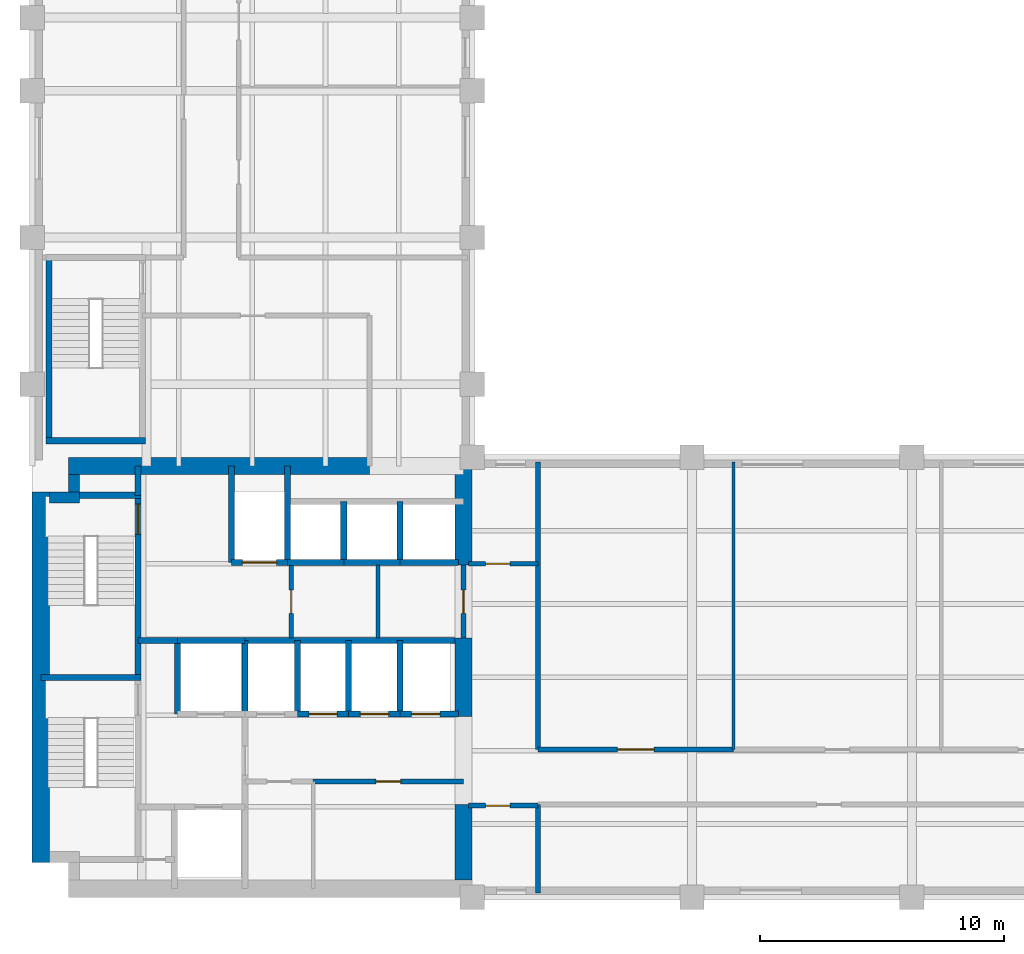
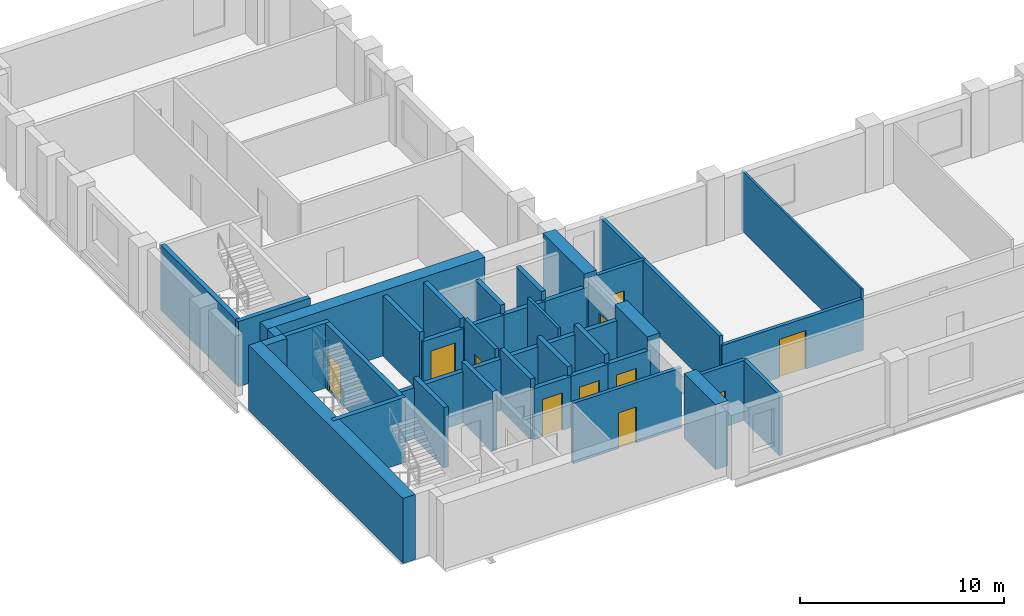
# One storey, part 3 of 7: 42 walls, 11 doors, 11 openings.
"""IFC4 building model written with IfcOpenShell, lengths in metres."""

from ifc_helpers import new_model, si_unit, direction, frame, frame_2d, origin, place, context, subcontext, project, spatial, rectangle, extrude, material, layer, layer_set, type_object, element, fill, save


model = new_model("IFC4")

# Units and contexts
model_context = context("Model", 3, precision=1e-05, world=origin(), true_north=direction((0.0, 1.0)))
body_context = subcontext(model_context, "Body", "Model", "MODEL_VIEW")
ifc_project = project(units=[si_unit("LENGTHUNIT", "METRE"), si_unit("AREAUNIT", "SQUARE_METRE"), si_unit("VOLUMEUNIT", "CUBIC_METRE"), si_unit("PLANEANGLEUNIT", "RADIAN"), si_unit("MASSUNIT", "GRAM", prefix="KILO")], contexts=[model_context])

# Site, building, storey
site_placement = place(None, origin())
site = spatial("IfcSite", under=ifc_project, at=site_placement, CompositionType="ELEMENT")
building_placement = place(site_placement, origin())
building = spatial("IfcBuilding", under=site, at=building_placement, Name="Mawjdan Bourse Tower", CompositionType="ELEMENT")
storey_placement = place(building_placement, frame((0.0, 0.0, 151.800048828125)))
storey = spatial("IfcBuildingStorey", under=building, at=storey_placement, Name="L36", CompositionType="ELEMENT", Elevation=151.800048828125)

# Wall, opening, door
ifc_material_1 = material(Name="Gypsum Fireboard Assembly")
ifc_layer_1 = layer(ifc_material_1, 0.199951171875)
ifc_layer_set_1 = layer_set([ifc_layer_1], Name="Gypsum Fireboard Assembly")
wall_type_1 = type_object("IfcWallType", Name="WL-CMP-200", PredefinedType="PARTITIONING", material=ifc_layer_set_1)
wall_1_placement = place(storey_placement, frame((17.5, 7.739990234375, 0.0), z_axis=(0.0, 0.0, 1.0), x_axis=(1.0, 0.0, 0.0)))
wall_1 = element("IfcWall", 1, at=wall_1_placement, inside=storey, type_object=wall_type_1, Name="L36 Reprographics & Pantry Suite North Wall", PredefinedType="PARTITIONING", context=body_context, shape_type="SweptSolid", body=[
    extrude(rectangle(XDim=6.14990234375, YDim=0.199951171875, at=frame_2d((3.074951171875, 0.0))), origin(), (0.0, 0.0, 1.0), 3.60986328125),
])
opening_1_placement = place(wall_1_placement, frame((2.574951171875, 0.0, 0.0)))
opening_1 = element("IfcOpeningElement", 2, at=opening_1_placement, cuts=wall_1, Name="Opening D-L36-11", PredefinedType="OPENING", context=body_context, shape_type="SweptSolid", body=[
    extrude(rectangle(XDim=1.0, YDim=2.14990234375, at=frame_2d((0.5, 1.074951171875))), frame((0.0, 0.10986328125, 0.0), z_axis=(0.0, -1.0, 0.0), x_axis=(1.0, 0.0, 0.0)), (0.0, 0.0, 1.0), 0.219970703125),
])
ifc_material_2 = material(Name="Hardwood Acoustic Leaf", Category="wood")
door_type_1 = type_object("IfcDoorType", Name="DR-OFC-1000", OperationType="NOTDEFINED", PredefinedType="DOOR", material=ifc_material_2)
door_1_placement = place(opening_1_placement, origin())
door_1 = element("IfcDoor", 3, at=door_1_placement, inside=storey, type_object=door_type_1, Name="L36 Reprographics & Pantry Suite Door D-L36-11", OperationType="SINGLE_SWING_RIGHT", OverallHeight=2.14990234375, OverallWidth=1.0, PredefinedType="DOOR", context=body_context, shape_type="SweptSolid", body=[
    extrude(rectangle(XDim=1.0, YDim=2.14990234375, at=frame_2d((0.5, 1.074951171875))), frame((0.0, 0.02490234375, 0.0), z_axis=(0.0, -1.0, 0.0), x_axis=(1.0, 0.0, 0.0)), (0.0, 0.0, 1.0), 0.050048828125),
])
fill(opening_1, door_1)

wall_2_placement = place(storey_placement, frame((16.60009765625, 13.60009765625, 0.0), z_axis=(0.0, 0.0, 1.0), x_axis=(0.0, 1.0, 0.0)))
wall_2 = element("IfcWall", 4, at=wall_2_placement, inside=storey, type_object=wall_type_1, Name="L36 Core Restroom West Wall", PredefinedType="PARTITIONING", context=body_context, shape_type="SweptSolid", body=[
    extrude(rectangle(XDim=3.0, YDim=0.199951171875, at=frame_2d((1.5, 0.0))), origin(), (0.0, 0.0, 1.0), 3.60986328125),
])
opening_2_placement = place(wall_2_placement, frame((1.02001953125, 0.0, 0.0)))
opening_2 = element("IfcOpeningElement", 5, at=opening_2_placement, cuts=wall_2, Name="Opening D-L36-16", PredefinedType="OPENING", context=body_context, shape_type="SweptSolid", body=[
    extrude(rectangle(XDim=0.949951171875, YDim=2.10009765625, at=frame_2d((0.47509765625, 1.050048828125))), frame((0.0, 0.10986328125, 0.0), z_axis=(0.0, -1.0, 0.0), x_axis=(1.0, 0.0, 0.0)), (0.0, 0.0, 1.0), 0.219970703125),
])
ifc_material_3 = material(Name="Moisture-Resistant Laminate Timber", Category="wood")
door_type_2 = type_object("IfcDoorType", Name="DR-WET-0950", OperationType="NOTDEFINED", PredefinedType="DOOR", material=ifc_material_3)
door_2_placement = place(opening_2_placement, origin())
door_2 = element("IfcDoor", 6, at=door_2_placement, inside=storey, type_object=door_type_2, Name="L36 Female Restroom Entry Door D-L36-16", OperationType="SINGLE_SWING_LEFT", OverallHeight=2.10009765625, OverallWidth=0.949951171875, PredefinedType="DOOR", context=body_context, shape_type="SweptSolid", body=[
    extrude(rectangle(XDim=0.949951171875, YDim=2.10009765625, at=frame_2d((0.47509765625, 1.050048828125))), frame((0.0, 0.02490234375, 0.0), z_axis=(0.0, -1.0, 0.0), x_axis=(1.0, 0.0, 0.0)), (0.0, 0.0, 1.0), 0.050048828125),
])
fill(opening_2, door_2)

wall_3_placement = place(storey_placement, frame((23.64990234375, 13.60009765625, 0.0), z_axis=(0.0, 0.0, 1.0), x_axis=(0.0, 1.0, 0.0)))
wall_3 = element("IfcWall", 7, at=wall_3_placement, inside=storey, type_object=wall_type_1, Name="L36 Core Restroom East Enclosing Wall", PredefinedType="PARTITIONING", context=body_context, shape_type="SweptSolid", body=[
    extrude(rectangle(XDim=3.0, YDim=0.199951171875, at=frame_2d((1.5, 0.0))), origin(), (0.0, 0.0, 1.0), 3.60986328125),
])
opening_3_placement = place(wall_3_placement, frame((1.02001953125, 0.0, 0.0)))
opening_3 = element("IfcOpeningElement", 8, at=opening_3_placement, cuts=wall_3, Name="Opening D-L36-17", PredefinedType="OPENING", context=body_context, shape_type="SweptSolid", body=[
    extrude(rectangle(XDim=0.949951171875, YDim=2.10009765625, at=frame_2d((0.47509765625, 1.050048828125))), frame((0.0, 0.10986328125, 0.0), z_axis=(0.0, -1.0, 0.0), x_axis=(1.0, 0.0, 0.0)), (0.0, 0.0, 1.0), 0.219970703125),
])
door_3_placement = place(opening_3_placement, origin())
door_3 = element("IfcDoor", 9, at=door_3_placement, inside=storey, type_object=door_type_2, Name="L36 Accessible WC East Entry Door D-L36-17", OperationType="SINGLE_SWING_RIGHT", OverallHeight=2.10009765625, OverallWidth=0.949951171875, PredefinedType="DOOR", context=body_context, shape_type="SweptSolid", body=[
    extrude(rectangle(XDim=0.949951171875, YDim=2.10009765625, at=frame_2d((0.47509765625, 1.050048828125))), frame((0.0, 0.02490234375, 0.0), z_axis=(0.0, -1.0, 0.0), x_axis=(1.0, 0.0, 0.0)), (0.0, 0.0, 1.0), 0.050048828125),
])
fill(opening_3, door_3)

wall_4_placement = place(storey_placement, frame((23.85009765625, 6.75, 0.0), z_axis=(0.0, 0.0, 1.0), x_axis=(1.0, 0.0, 0.0)))
wall_4 = element("IfcWall", 10, at=wall_4_placement, inside=storey, type_object=wall_type_1, Name="L36 West Pocket North Wall", PredefinedType="PARTITIONING", context=body_context, shape_type="SweptSolid", body=[
    extrude(rectangle(XDim=2.849853515625, YDim=0.199951171875, at=frame_2d((1.4248046875, 0.0))), origin(), (0.0, 0.0, 1.0), 3.60986328125),
])
opening_4_placement = place(wall_4_placement, frame((0.699951171875, 0.0, 0.0)))
opening_4 = element("IfcOpeningElement", 11, at=opening_4_placement, cuts=wall_4, Name="Opening D-L36-19", PredefinedType="OPENING", context=body_context, shape_type="SweptSolid", body=[
    extrude(rectangle(XDim=1.0, YDim=2.14990234375, at=frame_2d((0.5, 1.074951171875))), frame((0.0, 0.10986328125, 0.0), z_axis=(0.0, -1.0, 0.0), x_axis=(1.0, 0.0, 0.0)), (0.0, 0.0, 1.0), 0.219970703125),
])
door_4_placement = place(opening_4_placement, origin())
door_4 = element("IfcDoor", 12, at=door_4_placement, inside=storey, type_object=door_type_1, Name="L36 West Pocket Office Door D-L36-19", OperationType="SINGLE_SWING_RIGHT", OverallHeight=2.14990234375, OverallWidth=1.0, PredefinedType="DOOR", context=body_context, shape_type="SweptSolid", body=[
    extrude(rectangle(XDim=1.0, YDim=2.14990234375, at=frame_2d((0.5, 1.074951171875))), frame((0.0, 0.02490234375, 0.0), z_axis=(0.0, -1.0, 0.0), x_axis=(1.0, 0.0, 0.0)), (0.0, 0.0, 1.0), 0.050048828125),
])
fill(opening_4, door_4)

wall_5_placement = place(storey_placement, frame((23.85009765625, 16.64990234375, 0.0), z_axis=(0.0, 0.0, 1.0), x_axis=(1.0, 0.0, 0.0)))
wall_5 = element("IfcWall", 13, at=wall_5_placement, inside=storey, type_object=wall_type_1, Name="L36 West North Pocket Wall", PredefinedType="PARTITIONING", context=body_context, shape_type="SweptSolid", body=[
    extrude(rectangle(XDim=2.849853515625, YDim=0.199951171875, at=frame_2d((1.4248046875, 0.0))), origin(), (0.0, 0.0, 1.0), 3.60986328125),
])
opening_5_placement = place(wall_5_placement, frame((0.699951171875, 0.0, 0.0)))
opening_5 = element("IfcOpeningElement", 14, at=opening_5_placement, cuts=wall_5, Name="Opening D-L36-20", PredefinedType="OPENING", context=body_context, shape_type="SweptSolid", body=[
    extrude(rectangle(XDim=1.0, YDim=2.14990234375, at=frame_2d((0.5, 1.074951171875))), frame((0.0, 0.10986328125, 0.0), z_axis=(0.0, -1.0, 0.0), x_axis=(1.0, 0.0, 0.0)), (0.0, 0.0, 1.0), 0.219970703125),
])
door_5_placement = place(opening_5_placement, origin())
door_5 = element("IfcDoor", 15, at=door_5_placement, inside=storey, type_object=door_type_1, Name="L36 West North Pocket Door D-L36-20", OperationType="SINGLE_SWING_LEFT", OverallHeight=2.14990234375, OverallWidth=1.0, PredefinedType="DOOR", context=body_context, shape_type="SweptSolid", body=[
    extrude(rectangle(XDim=1.0, YDim=2.14990234375, at=frame_2d((0.5, 1.074951171875))), frame((0.0, 0.02490234375, 0.0), z_axis=(0.0, -1.0, 0.0), x_axis=(1.0, 0.0, 0.0)), (0.0, 0.0, 1.0), 0.050048828125),
])
fill(opening_5, door_5)

# Walls
wall_6_placement = place(storey_placement, frame((26.699951171875, 3.179931640625, 0.0), z_axis=(0.0, 0.0, 1.0), x_axis=(0.0, 1.0, 0.0)))
element("IfcWall", 16, at=wall_6_placement, inside=storey, type_object=wall_type_1, Name="L36 Vestibule South East Wall", PredefinedType="PARTITIONING", context=body_context, shape_type="SweptSolid", body=[
    extrude(rectangle(XDim=3.6201171875, YDim=0.199951171875, at=frame_2d((1.81005859375, 0.0))), origin(), (0.0, 0.0, 1.0), 3.60986328125),
])
wall_7_placement = place(storey_placement, frame((26.699951171875, 9.050048828125, 0.0), z_axis=(0.0, 0.0, 1.0), x_axis=(0.0, 1.0, 0.0)))
element("IfcWall", 17, at=wall_7_placement, inside=storey, type_object=wall_type_1, Name="L36 Vestibule North East Wall", PredefinedType="PARTITIONING", context=body_context, shape_type="SweptSolid", body=[
    extrude(rectangle(XDim=11.77001953125, YDim=0.199951171875, at=frame_2d((5.885009765625, 0.0))), origin(), (0.0, 0.0, 1.0), 3.60986328125),
])

# Wall, opening, door
wall_8_placement = place(storey_placement, frame((26.699951171875, 9.050048828125, 0.0), z_axis=(0.0, 0.0, 1.0), x_axis=(1.0, 0.0, 0.0)))
wall_8 = element("IfcWall", 18, at=wall_8_placement, inside=storey, type_object=wall_type_1, Name="L36 Conference Room Corridor Wall", PredefinedType="PARTITIONING", context=body_context, shape_type="SweptSolid", body=[
    extrude(rectangle(XDim=8.0, YDim=0.199951171875, at=frame_2d((4.0, 0.0))), origin(), (0.0, 0.0, 1.0), 3.06591796875),
])
opening_6_placement = place(wall_8_placement, frame((3.25, 0.0, 0.0)))
opening_6 = element("IfcOpeningElement", 19, at=opening_6_placement, cuts=wall_8, Name="Opening D-L36-22", PredefinedType="OPENING", context=body_context, shape_type="SweptSolid", body=[
    extrude(rectangle(XDim=1.5, YDim=2.300048828125, at=frame_2d((0.75, 1.14990234375))), frame((0.0, 0.10986328125, 0.0), z_axis=(0.0, -1.0, 0.0), x_axis=(1.0, 0.0, 0.0)), (0.0, 0.0, 1.0), 0.219970703125),
])
ifc_material_4 = material(Name="Acoustic Glazed Timber", Category="wood")
door_type_3 = type_object("IfcDoorType", Name="DR-CNF-1500", OperationType="DOUBLE_DOOR_SINGLE_SWING", PredefinedType="DOOR", material=ifc_material_4)
door_6_placement = place(opening_6_placement, origin())
door_6 = element("IfcDoor", 20, at=door_6_placement, inside=storey, type_object=door_type_3, Name="L36 Conference Room Door D-L36-22", OperationType="DOUBLE_DOOR_SINGLE_SWING", OverallHeight=2.300048828125, OverallWidth=1.5, PredefinedType="DOOR", context=body_context, shape_type="SweptSolid", body=[
    extrude(rectangle(XDim=1.5, YDim=2.300048828125, at=frame_2d((0.75, 1.14990234375))), frame((0.0, 0.02490234375, 0.0), z_axis=(0.0, -1.0, 0.0), x_axis=(1.0, 0.0, 0.0)), (0.0, 0.0, 1.0), 0.050048828125),
])
fill(opening_6, door_6)

# Walls
ifc_material_5 = material(Name="Concrete C60/75", Category="concrete")
ifc_layer_2 = layer(ifc_material_5, 0.449951171875)
ifc_layer_set_2 = layer_set([ifc_layer_2], Name="Concrete C60/75")
wall_type_2 = type_object("IfcWallType", Name="WL-CORE-450", PredefinedType="SHEAR", material=ifc_layer_set_2)
wall_9_placement = place(storey_placement, frame((6.699951171875, 19.35009765625, 0.0), z_axis=(0.0, 0.0, 1.0), x_axis=(1.0, 0.0, 0.0)))
element("IfcWall", 21, at=wall_9_placement, inside=storey, type_object=wall_type_2, Name="L36 Rear Core Shear Wall NW-X", PredefinedType="SHEAR", context=body_context, shape_type="SweptSolid", body=[
    extrude(rectangle(XDim=1.22509765625, YDim=0.449951171875, at=frame_2d((0.612548828125, 0.0))), origin(), (0.0, 0.0, 1.0), 3.89990234375),
])
wall_10_placement = place(storey_placement, frame((7.699951171875, 19.574951171875, 0.0), z_axis=(0.0, 0.0, 1.0), x_axis=(0.0, 1.0, 0.0)))
element("IfcWall", 22, at=wall_10_placement, inside=storey, type_object=wall_type_2, Name="L36 Rear Core Shear Wall NW-Y", PredefinedType="SHEAR", context=body_context, shape_type="SweptSolid", body=[
    extrude(rectangle(XDim=0.72509765625, YDim=0.449951171875, at=frame_2d((0.362548828125, 0.0))), origin(), (0.0, 0.0, 1.0), 3.89990234375),
])
ifc_material_6 = material(Name="Concrete C70/85", Category="concrete")
ifc_layer_3 = layer(ifc_material_6, 0.699951171875)
ifc_layer_set_3 = layer_set([ifc_layer_3], Name="Concrete C70/85")
wall_type_3 = type_object("IfcWallType", Name="WL-CORE-700", PredefinedType="SHEAR", material=ifc_layer_set_3)
wall_11_placement = place(storey_placement, frame((6.35009765625, 4.425048828125, 0.0), z_axis=(0.0, 0.0, 1.0), x_axis=(0.0, 1.0, 0.0)))
element("IfcWall", 23, at=wall_11_placement, inside=storey, type_object=wall_type_3, Name="L36 Rear Core Shear Wall W", PredefinedType="SHEAR", context=body_context, shape_type="SweptSolid", body=[
    extrude(rectangle(XDim=15.14990234375, YDim=0.699951171875, at=frame_2d((7.574951171875, 0.0))), origin(), (0.0, 0.0, 1.0), 3.89990234375),
])
wall_12_placement = place(storey_placement, frame((7.47509765625, 20.64990234375, 0.0), z_axis=(0.0, 0.0, 1.0), x_axis=(1.0, 0.0, 0.0)))
element("IfcWall", 24, at=wall_12_placement, inside=storey, type_object=wall_type_3, Name="L36 Rear Core Shear Wall N", PredefinedType="SHEAR", context=body_context, shape_type="SweptSolid", body=[
    extrude(rectangle(XDim=12.324951171875, YDim=0.699951171875, at=frame_2d((6.16259765625, 0.0))), origin(), (0.0, 0.0, 1.0), 3.89990234375),
])
wall_13_placement = place(storey_placement, frame((23.64990234375, 3.699951171875, 0.0), z_axis=(0.0, 0.0, 1.0), x_axis=(0.0, 1.0, 0.0)))
element("IfcWall", 25, at=wall_13_placement, inside=storey, type_object=wall_type_3, Name="L36 Rear Core Shear Wall E1", PredefinedType="SHEAR", context=body_context, shape_type="SweptSolid", body=[
    extrude(rectangle(XDim=3.10009765625, YDim=0.699951171875, at=frame_2d((1.550048828125, 0.0))), origin(), (0.0, 0.0, 1.0), 3.89990234375),
])
wall_14_placement = place(storey_placement, frame((23.64990234375, 10.39990234375, 0.0), z_axis=(0.0, 0.0, 1.0), x_axis=(0.0, 1.0, 0.0)))
element("IfcWall", 26, at=wall_14_placement, inside=storey, type_object=wall_type_3, Name="L36 Rear Core Shear Wall E2", PredefinedType="SHEAR", context=body_context, shape_type="SweptSolid", body=[
    extrude(rectangle(XDim=3.2001953125, YDim=0.699951171875, at=frame_2d((1.60009765625, 0.0))), origin(), (0.0, 0.0, 1.0), 3.89990234375),
])
wall_15_placement = place(storey_placement, frame((23.64990234375, 16.60009765625, 0.0), z_axis=(0.0, 0.0, 1.0), x_axis=(0.0, 1.0, 0.0)))
element("IfcWall", 27, at=wall_15_placement, inside=storey, type_object=wall_type_3, Name="L36 Rear Core Shear Wall E3", PredefinedType="SHEAR", context=body_context, shape_type="SweptSolid", body=[
    extrude(rectangle(XDim=4.0498046875, YDim=0.699951171875, at=frame_2d((2.02490234375, 0.0))), origin(), (0.0, 0.0, 1.0), 3.89990234375),
])
ifc_material_7 = material(Name="Gypsum Partition")
ifc_layer_4 = layer(ifc_material_7, 0.125)
ifc_layer_set_4 = layer_set([ifc_layer_4], Name="Gypsum Partition")
wall_type_4 = type_object("IfcWallType", Name="WL-PRT-125", PredefinedType="PARTITIONING", material=ifc_layer_set_4)
wall_16_placement = place(storey_placement, frame((34.699951171875, 9.050048828125, 0.0), z_axis=(0.0, 0.0, 1.0), x_axis=(0.0, 1.0, 0.0)))
element("IfcWall", 28, at=wall_16_placement, inside=storey, type_object=wall_type_4, Name="L36 Executive Office Partition", PredefinedType="PARTITIONING", context=body_context, shape_type="SweptSolid", body=[
    extrude(rectangle(XDim=11.77001953125, YDim=0.125, at=frame_2d((5.885009765625, 0.0))), origin(), (0.0, 0.0, 1.0), 3.60986328125),
])
ifc_material_8 = material(Name="Gypsum Acoustic Partition")
ifc_layer_5 = layer(ifc_material_8, 0.14990234375)
ifc_layer_set_5 = layer_set([ifc_layer_5], Name="Gypsum Acoustic Partition")
wall_type_5 = type_object("IfcWallType", Name="WL-PRT-150", PredefinedType="PARTITIONING", material=ifc_layer_set_5)
wall_17_placement = place(storey_placement, frame((20.14990234375, 13.60009765625, 0.0), z_axis=(0.0, 0.0, 1.0), x_axis=(0.0, 1.0, 0.0)))
element("IfcWall", 29, at=wall_17_placement, inside=storey, type_object=wall_type_5, Name="L36 Core Restroom Vertical Split", PredefinedType="PARTITIONING", context=body_context, shape_type="SweptSolid", body=[
    extrude(rectangle(XDim=3.0, YDim=0.14990234375, at=frame_2d((1.5, 0.0))), origin(), (0.0, 0.0, 1.0), 3.60986328125),
])
ifc_material_9 = material(Name="Concrete C50/60", Category="concrete")
ifc_layer_6 = layer(ifc_material_9, 0.25)
ifc_layer_set_6 = layer_set([ifc_layer_6], Name="Concrete C50/60")
wall_type_6 = type_object("IfcWallType", Name="WL-SHFT-250", PredefinedType="PARTITIONING", material=ifc_layer_set_6)
wall_18_placement = place(storey_placement, frame((10.330078125, 19.449951171875, 0.0), z_axis=(0.0, 0.0, 1.0), x_axis=(0.0, 1.0, 0.0)))
element("IfcWall", 30, at=wall_18_placement, inside=storey, type_object=wall_type_6, Name="L36 NW Riser East Wall", PredefinedType="PARTITIONING", context=body_context, shape_type="SweptSolid", body=[
    extrude(rectangle(XDim=1.199951171875, YDim=0.25, at=frame_2d((0.60009765625, 0.0))), origin(), (0.0, 0.0, 1.0), 2.75390625),
])
wall_19_placement = place(storey_placement, frame((11.949951171875, 10.5, 0.0), z_axis=(0.0, 0.0, 1.0), x_axis=(0.0, 1.0, 0.0)))
element("IfcWall", 31, at=wall_19_placement, inside=storey, type_object=wall_type_6, Name="L36 FFL-02 West Shaft Wall", PredefinedType="PARTITIONING", context=body_context, shape_type="SweptSolid", body=[
    extrude(rectangle(XDim=3.0, YDim=0.25, at=frame_2d((1.5, 0.0))), origin(), (0.0, 0.0, 1.0), 3.60986328125),
])
wall_20_placement = place(storey_placement, frame((11.949951171875, 13.5, 0.0), z_axis=(0.0, 0.0, 1.0), x_axis=(1.0, 0.0, 0.0)))
element("IfcWall", 32, at=wall_20_placement, inside=storey, type_object=wall_type_6, Name="L36 FFL-02 North Shaft Wall", PredefinedType="PARTITIONING", context=body_context, shape_type="SweptSolid", body=[
    extrude(rectangle(XDim=2.75, YDim=0.25, at=frame_2d((1.375, 0.0))), origin(), (0.0, 0.0, 1.0), 3.06591796875),
])
wall_21_placement = place(storey_placement, frame((14.699951171875, 10.5, 0.0), z_axis=(0.0, 0.0, 1.0), x_axis=(0.0, 1.0, 0.0)))
element("IfcWall", 33, at=wall_21_placement, inside=storey, type_object=wall_type_6, Name="L36 FFL-02 East Shaft Wall", PredefinedType="PARTITIONING", context=body_context, shape_type="SweptSolid", body=[
    extrude(rectangle(XDim=3.0, YDim=0.25, at=frame_2d((1.5, 0.0))), origin(), (0.0, 0.0, 1.0), 3.60986328125),
])
wall_22_placement = place(storey_placement, frame((10.330078125, 13.5, 0.0), z_axis=(0.0, 0.0, 1.0), x_axis=(1.0, 0.0, 0.0)))
element("IfcWall", 34, at=wall_22_placement, inside=storey, type_object=wall_type_6, Name="L36 Firefighting Lobby North Compartment Wall", PredefinedType="PARTITIONING", context=body_context, shape_type="SweptSolid", body=[
    extrude(rectangle(XDim=1.619873046875, YDim=0.25, at=frame_2d((0.81005859375, 0.0))), origin(), (0.0, 0.0, 1.0), 3.06591796875),
])

# Wall, opening, door
wall_23_placement = place(storey_placement, frame((14.14990234375, 16.699951171875, 0.0), z_axis=(0.0, 0.0, 1.0), x_axis=(1.0, 0.0, 0.0)))
wall_23 = element("IfcWall", 35, at=wall_23_placement, inside=storey, type_object=wall_type_6, Name="L36 SVL-01 Front Shaft Wall", PredefinedType="PARTITIONING", context=body_context, shape_type="SweptSolid", body=[
    extrude(rectangle(XDim=2.300048828125, YDim=0.25, at=frame_2d((1.14990234375, 0.0))), origin(), (0.0, 0.0, 1.0), 3.06591796875),
])
opening_7_placement = place(wall_23_placement, frame((0.449951171875, 0.0, 0.0)))
opening_7 = element("IfcOpeningElement", 36, at=opening_7_placement, cuts=wall_23, Name="Opening LD-L36-09", PredefinedType="OPENING", context=body_context, shape_type="SweptSolid", body=[
    extrude(rectangle(XDim=1.39990234375, YDim=2.35009765625, at=frame_2d((0.699951171875, 1.175048828125))), frame((0.0, 0.135009765625, 0.0), z_axis=(0.0, -1.0, 0.0), x_axis=(1.0, 0.0, 0.0)), (0.0, 0.0, 1.0), 0.27001953125),
])
ifc_material_10 = material(Name="Heavy-Duty Stainless Steel", Category="steel")
door_type_4 = type_object("IfcDoorType", Name="LD-SRV-1400", OperationType="DOUBLE_DOOR_SLIDING", PredefinedType="DOOR", material=ifc_material_10)
door_7_placement = place(opening_7_placement, origin())
door_7 = element("IfcDoor", 37, at=door_7_placement, inside=storey, type_object=door_type_4, Name="L36 Service Lift SVL-01 Landing Door LD-L36-09", OperationType="DOUBLE_DOOR_SLIDING", OverallHeight=2.35009765625, OverallWidth=1.39990234375, PredefinedType="DOOR", context=body_context, shape_type="SweptSolid", body=[
    extrude(rectangle(XDim=1.39990234375, YDim=2.35009765625, at=frame_2d((0.699951171875, 1.175048828125))), frame((0.0, 0.02490234375, 0.0), z_axis=(0.0, -1.0, 0.0), x_axis=(1.0, 0.0, 0.0)), (0.0, 0.0, 1.0), 0.050048828125),
])
fill(opening_7, door_7)

# Walls
for number, where, z_axis, x_axis, name in (
    (38, (14.14990234375, 16.699951171875, 0.0), (0.0, 0.0, 1.0), (0.0, 1.0, 0.0), "L36 SVL-01 West Shaft Wall"),
    (39, (16.449951171875, 16.699951171875, 0.0), (0.0, 0.0, 1.0), (0.0, 1.0, 0.0), "L36 SVL-01 East Shaft Wall"),
):
    element("IfcWall", number, at=place(storey_placement, frame(where, z_axis=z_axis, x_axis=x_axis)), inside=storey, type_object=wall_type_6, Name=name, PredefinedType="PARTITIONING", context=body_context, shape_type="SweptSolid", body=[
        extrude(rectangle(XDim=3.949951171875, YDim=0.25, at=frame_2d((1.97509765625, 0.0))), origin(), (0.0, 0.0, 1.0), 3.60986328125),
    ])
wall_24_placement = place(storey_placement, frame((16.449951171875, 16.699951171875, 0.0), z_axis=(0.0, 0.0, 1.0), x_axis=(1.0, 0.0, 0.0)))
element("IfcWall", 40, at=wall_24_placement, inside=storey, type_object=wall_type_6, Name="L36 PH-01 Front Wall", PredefinedType="PARTITIONING", context=body_context, shape_type="SweptSolid", body=[
    extrude(rectangle(XDim=2.300048828125, YDim=0.25, at=frame_2d((1.14990234375, 0.0))), origin(), (0.0, 0.0, 1.0), 3.06591796875),
])
wall_25_placement = place(storey_placement, frame((18.75, 16.699951171875, 0.0), z_axis=(0.0, 0.0, 1.0), x_axis=(0.0, 1.0, 0.0)))
element("IfcWall", 41, at=wall_25_placement, inside=storey, type_object=wall_type_6, Name="L36 PH-01 Divider Wall", PredefinedType="PARTITIONING", context=body_context, shape_type="SweptSolid", body=[
    extrude(rectangle(XDim=2.5, YDim=0.25, at=frame_2d((1.25, 0.0))), origin(), (0.0, 0.0, 1.0), 3.60986328125),
])
wall_26_placement = place(storey_placement, frame((18.75, 16.699951171875, 0.0), z_axis=(0.0, 0.0, 1.0), x_axis=(1.0, 0.0, 0.0)))
element("IfcWall", 42, at=wall_26_placement, inside=storey, type_object=wall_type_6, Name="L36 PH-02 Front Wall", PredefinedType="PARTITIONING", context=body_context, shape_type="SweptSolid", body=[
    extrude(rectangle(XDim=2.300048828125, YDim=0.25, at=frame_2d((1.14990234375, 0.0))), origin(), (0.0, 0.0, 1.0), 3.06591796875),
])
wall_27_placement = place(storey_placement, frame((21.050048828125, 16.699951171875, 0.0), z_axis=(0.0, 0.0, 1.0), x_axis=(0.0, 1.0, 0.0)))
element("IfcWall", 43, at=wall_27_placement, inside=storey, type_object=wall_type_6, Name="L36 PH-02 Divider Wall", PredefinedType="PARTITIONING", context=body_context, shape_type="SweptSolid", body=[
    extrude(rectangle(XDim=2.5, YDim=0.25, at=frame_2d((1.25, 0.0))), origin(), (0.0, 0.0, 1.0), 3.60986328125),
])
wall_28_placement = place(storey_placement, frame((21.050048828125, 16.699951171875, 0.0), z_axis=(0.0, 0.0, 1.0), x_axis=(1.0, 0.0, 0.0)))
element("IfcWall", 44, at=wall_28_placement, inside=storey, type_object=wall_type_6, Name="L36 PH-03 Front Wall", PredefinedType="PARTITIONING", context=body_context, shape_type="SweptSolid", body=[
    extrude(rectangle(XDim=2.39990234375, YDim=0.25, at=frame_2d((1.199951171875, 0.0))), origin(), (0.0, 0.0, 1.0), 3.06591796875),
])
wall_29_placement = place(storey_placement, frame((16.85009765625, 10.5, 0.0), z_axis=(0.0, 0.0, 1.0), x_axis=(0.0, 1.0, 0.0)))
element("IfcWall", 45, at=wall_29_placement, inside=storey, type_object=wall_type_6, Name="L36 PM-01 Divider Wall", PredefinedType="PARTITIONING", context=body_context, shape_type="SweptSolid", body=[
    extrude(rectangle(XDim=3.0, YDim=0.25, at=frame_2d((1.5, 0.0))), origin(), (0.0, 0.0, 1.0), 3.60986328125),
])

# Wall, opening, door
wall_30_placement = place(storey_placement, frame((16.85009765625, 10.5, 0.0), z_axis=(0.0, 0.0, 1.0), x_axis=(1.0, 0.0, 0.0)))
wall_30 = element("IfcWall", 46, at=wall_30_placement, inside=storey, type_object=wall_type_6, Name="L36 PM-02 Front Wall", PredefinedType="PARTITIONING", context=body_context, shape_type="SweptSolid", body=[
    extrude(rectangle(XDim=2.099853515625, YDim=0.25, at=frame_2d((1.0498046875, 0.0))), origin(), (0.0, 0.0, 1.0), 3.06591796875),
])
opening_8_placement = place(wall_30_placement, frame((0.47998046875, 0.0, 0.0)))
opening_8 = element("IfcOpeningElement", 47, at=opening_8_placement, cuts=wall_30, Name="Opening LD-L36-13", PredefinedType="OPENING", context=body_context, shape_type="SweptSolid", body=[
    extrude(rectangle(XDim=1.14990234375, YDim=2.25, at=frame_2d((0.574951171875, 1.125))), frame((0.0, 0.135009765625, 0.0), z_axis=(0.0, -1.0, 0.0), x_axis=(1.0, 0.0, 0.0)), (0.0, 0.0, 1.0), 0.27001953125),
])
ifc_material_11 = material(Name="Brushed Stainless Steel", Category="steel")
door_type_5 = type_object("IfcDoorType", Name="LD-PAS-1150", OperationType="DOUBLE_DOOR_SLIDING", PredefinedType="DOOR", material=ifc_material_11)
door_8_placement = place(opening_8_placement, origin())
door_8 = element("IfcDoor", 48, at=door_8_placement, inside=storey, type_object=door_type_5, Name="L36 Lift PM-02 Landing Door LD-L36-13", OperationType="DOUBLE_DOOR_SLIDING", OverallHeight=2.25, OverallWidth=1.14990234375, PredefinedType="DOOR", context=body_context, shape_type="SweptSolid", body=[
    extrude(rectangle(XDim=1.14990234375, YDim=2.25, at=frame_2d((0.574951171875, 1.125))), frame((0.0, 0.02490234375, 0.0), z_axis=(0.0, -1.0, 0.0), x_axis=(1.0, 0.0, 0.0)), (0.0, 0.0, 1.0), 0.050048828125),
])
fill(opening_8, door_8)

# Wall
wall_31_placement = place(storey_placement, frame((18.949951171875, 10.5, 0.0), z_axis=(0.0, 0.0, 1.0), x_axis=(0.0, 1.0, 0.0)))
element("IfcWall", 49, at=wall_31_placement, inside=storey, type_object=wall_type_6, Name="L36 PM-02 Divider Wall", PredefinedType="PARTITIONING", context=body_context, shape_type="SweptSolid", body=[
    extrude(rectangle(XDim=3.0, YDim=0.25, at=frame_2d((1.5, 0.0))), origin(), (0.0, 0.0, 1.0), 3.60986328125),
])

# Wall, opening, door
wall_32_placement = place(storey_placement, frame((18.949951171875, 10.5, 0.0), z_axis=(0.0, 0.0, 1.0), x_axis=(1.0, 0.0, 0.0)))
wall_32 = element("IfcWall", 50, at=wall_32_placement, inside=storey, type_object=wall_type_6, Name="L36 PM-03 Front Wall", PredefinedType="PARTITIONING", context=body_context, shape_type="SweptSolid", body=[
    extrude(rectangle(XDim=2.10009765625, YDim=0.25, at=frame_2d((1.050048828125, 0.0))), origin(), (0.0, 0.0, 1.0), 3.06591796875),
])
opening_9_placement = place(wall_32_placement, frame((0.47998046875, 0.0, 0.0)))
opening_9 = element("IfcOpeningElement", 51, at=opening_9_placement, cuts=wall_32, Name="Opening LD-L36-14", PredefinedType="OPENING", context=body_context, shape_type="SweptSolid", body=[
    extrude(rectangle(XDim=1.14990234375, YDim=2.25, at=frame_2d((0.574951171875, 1.125))), frame((0.0, 0.135009765625, 0.0), z_axis=(0.0, -1.0, 0.0), x_axis=(1.0, 0.0, 0.0)), (0.0, 0.0, 1.0), 0.27001953125),
])
door_9_placement = place(opening_9_placement, origin())
door_9 = element("IfcDoor", 52, at=door_9_placement, inside=storey, type_object=door_type_5, Name="L36 Lift PM-03 Landing Door LD-L36-14", OperationType="DOUBLE_DOOR_SLIDING", OverallHeight=2.25, OverallWidth=1.14990234375, PredefinedType="DOOR", context=body_context, shape_type="SweptSolid", body=[
    extrude(rectangle(XDim=1.14990234375, YDim=2.25, at=frame_2d((0.574951171875, 1.125))), frame((0.0, 0.02490234375, 0.0), z_axis=(0.0, -1.0, 0.0), x_axis=(1.0, 0.0, 0.0)), (0.0, 0.0, 1.0), 0.050048828125),
])
fill(opening_9, door_9)

# Wall
wall_33_placement = place(storey_placement, frame((21.050048828125, 10.5, 0.0), z_axis=(0.0, 0.0, 1.0), x_axis=(0.0, 1.0, 0.0)))
element("IfcWall", 53, at=wall_33_placement, inside=storey, type_object=wall_type_6, Name="L36 PM-03 Divider Wall", PredefinedType="PARTITIONING", context=body_context, shape_type="SweptSolid", body=[
    extrude(rectangle(XDim=3.0, YDim=0.25, at=frame_2d((1.5, 0.0))), origin(), (0.0, 0.0, 1.0), 3.60986328125),
])

# Wall, opening, door
wall_34_placement = place(storey_placement, frame((21.050048828125, 10.5, 0.0), z_axis=(0.0, 0.0, 1.0), x_axis=(1.0, 0.0, 0.0)))
wall_34 = element("IfcWall", 54, at=wall_34_placement, inside=storey, type_object=wall_type_6, Name="L36 PM-04 Front Wall", PredefinedType="PARTITIONING", context=body_context, shape_type="SweptSolid", body=[
    extrude(rectangle(XDim=2.39990234375, YDim=0.25, at=frame_2d((1.199951171875, 0.0))), origin(), (0.0, 0.0, 1.0), 3.06591796875),
])
opening_10_placement = place(wall_34_placement, frame((0.47998046875, 0.0, 0.0)))
opening_10 = element("IfcOpeningElement", 55, at=opening_10_placement, cuts=wall_34, Name="Opening LD-L36-15", PredefinedType="OPENING", context=body_context, shape_type="SweptSolid", body=[
    extrude(rectangle(XDim=1.14990234375, YDim=2.25, at=frame_2d((0.574951171875, 1.125))), frame((0.0, 0.135009765625, 0.0), z_axis=(0.0, -1.0, 0.0), x_axis=(1.0, 0.0, 0.0)), (0.0, 0.0, 1.0), 0.27001953125),
])
door_10_placement = place(opening_10_placement, origin())
door_10 = element("IfcDoor", 56, at=door_10_placement, inside=storey, type_object=door_type_5, Name="L36 Lift PM-04 Landing Door LD-L36-15", OperationType="DOUBLE_DOOR_SLIDING", OverallHeight=2.25, OverallWidth=1.14990234375, PredefinedType="DOOR", context=body_context, shape_type="SweptSolid", body=[
    extrude(rectangle(XDim=1.14990234375, YDim=2.25, at=frame_2d((0.574951171875, 1.125))), frame((0.0, 0.02490234375, 0.0), z_axis=(0.0, -1.0, 0.0), x_axis=(1.0, 0.0, 0.0)), (0.0, 0.0, 1.0), 0.050048828125),
])
fill(opening_10, door_10)

# Walls
wall_35_placement = place(storey_placement, frame((14.699951171875, 13.5, 0.0), z_axis=(0.0, 0.0, 1.0), x_axis=(1.0, 0.0, 0.0)))
element("IfcWall", 57, at=wall_35_placement, inside=storey, type_object=wall_type_6, Name="L36 PM Bank North Shaft Back Wall", PredefinedType="PARTITIONING", context=body_context, shape_type="SweptSolid", body=[
    extrude(rectangle(XDim=8.949951171875, YDim=0.25, at=frame_2d((4.47509765625, 0.0))), origin(), (0.0, 0.0, 1.0), 3.06591796875),
])
ifc_layer_7 = layer(ifc_material_9, 0.25)
ifc_layer_set_7 = layer_set([ifc_layer_7], Name="Concrete C50/60")
wall_type_7 = type_object("IfcWallType", Name="WL-STRW-250", PredefinedType="SHEAR", material=ifc_layer_set_7)
wall_36_placement = place(storey_placement, frame((6.35009765625, 12.0, 0.0), z_axis=(0.0, 0.0, 1.0), x_axis=(1.0, 0.0, 0.0)))
element("IfcWall", 58, at=wall_36_placement, inside=storey, type_object=wall_type_7, Name="L36 Stairwell Dividing Shaft Wall", PredefinedType="SHEAR", context=body_context, shape_type="SweptSolid", body=[
    extrude(rectangle(XDim=4.10498046875, YDim=0.25, at=frame_2d((2.052490234375, 0.0))), origin(), (0.0, 0.0, 1.0), 3.89990234375),
])
wall_37_placement = place(storey_placement, frame((7.699951171875, 19.449951171875, 0.0), z_axis=(0.0, 0.0, 1.0), x_axis=(1.0, 0.0, 0.0)))
element("IfcWall", 59, at=wall_37_placement, inside=storey, type_object=wall_type_7, Name="L36 Stairwell ST2 North Shaft Wall", PredefinedType="SHEAR", context=body_context, shape_type="SweptSolid", body=[
    extrude(rectangle(XDim=2.755126953125, YDim=0.25, at=frame_2d((1.37744140625, 0.0))), origin(), (0.0, 0.0, 1.0), 3.89990234375),
])

# Wall, opening, door
wall_38_placement = place(storey_placement, frame((10.330078125, 12.0, 0.0), z_axis=(0.0, 0.0, 1.0), x_axis=(0.0, 1.0, 0.0)))
wall_38 = element("IfcWall", 60, at=wall_38_placement, inside=storey, type_object=wall_type_7, Name="L36 Stairwell ST2 East Enclosure Wall", PredefinedType="SHEAR", context=body_context, shape_type="SweptSolid", body=[
    extrude(rectangle(XDim=7.449951171875, YDim=0.25, at=frame_2d((3.72509765625, 0.0))), origin(), (0.0, 0.0, 1.0), 3.89990234375),
])
opening_11_placement = place(wall_38_placement, frame((5.85009765625, 0.0, 0.0)))
opening_11 = element("IfcOpeningElement", 61, at=opening_11_placement, cuts=wall_38, Name="Opening SD-L36-02", PredefinedType="OPENING", context=body_context, shape_type="SweptSolid", body=[
    extrude(rectangle(XDim=1.25, YDim=2.199951171875, at=frame_2d((0.625, 1.10009765625))), frame((0.0, 0.135009765625, 0.0), z_axis=(0.0, -1.0, 0.0), x_axis=(1.0, 0.0, 0.0)), (0.0, 0.0, 1.0), 0.27001953125),
])
ifc_material_12 = material(Name="Fire-Rated Steel Leaf", Category="steel")
door_type_6 = type_object("IfcDoorType", Name="FD-ST-1250", OperationType="NOTDEFINED", PredefinedType="DOOR", material=ifc_material_12)
door_11_placement = place(opening_11_placement, origin())
door_11 = element("IfcDoor", 62, at=door_11_placement, inside=storey, type_object=door_type_6, Name="L36 Exit Stair ST2 Fire Door SD-L36-02", OperationType="SINGLE_SWING_RIGHT", OverallHeight=2.199951171875, OverallWidth=1.25, PredefinedType="DOOR", context=body_context, shape_type="SweptSolid", body=[
    extrude(rectangle(XDim=1.25, YDim=2.199951171875, at=frame_2d((0.625, 1.10009765625))), frame((0.0, 0.02490234375, 0.0), z_axis=(0.0, -1.0, 0.0), x_axis=(1.0, 0.0, 0.0)), (0.0, 0.0, 1.0), 0.050048828125),
])
fill(opening_11, door_11)

# Walls
wall_39_placement = place(storey_placement, frame((6.554931640625, 21.679931640625, 0.0), z_axis=(0.0, 0.0, 1.0), x_axis=(1.0, 0.0, 0.0)))
element("IfcWall", 63, at=wall_39_placement, inside=storey, type_object=wall_type_7, Name="L36 ST3 South Shaft Wall", PredefinedType="SHEAR", context=body_context, shape_type="SweptSolid", body=[
    extrude(rectangle(XDim=4.090087890625, YDim=0.25, at=frame_2d((2.044921875, 0.0))), origin(), (0.0, 0.0, 1.0), 3.89990234375),
])
wall_40_placement = place(storey_placement, frame((6.679931640625, 21.679931640625, 0.0), z_axis=(0.0, 0.0, 1.0), x_axis=(0.0, 1.0, 0.0)))
element("IfcWall", 64, at=wall_40_placement, inside=storey, type_object=wall_type_7, Name="L36 ST3 West Shaft Wall", PredefinedType="SHEAR", context=body_context, shape_type="SweptSolid", body=[
    extrude(rectangle(XDim=7.5, YDim=0.25, at=frame_2d((3.75, 0.0))), origin(), (0.0, 0.0, 1.0), 3.89990234375),
])

save(model, "model.ifc")
